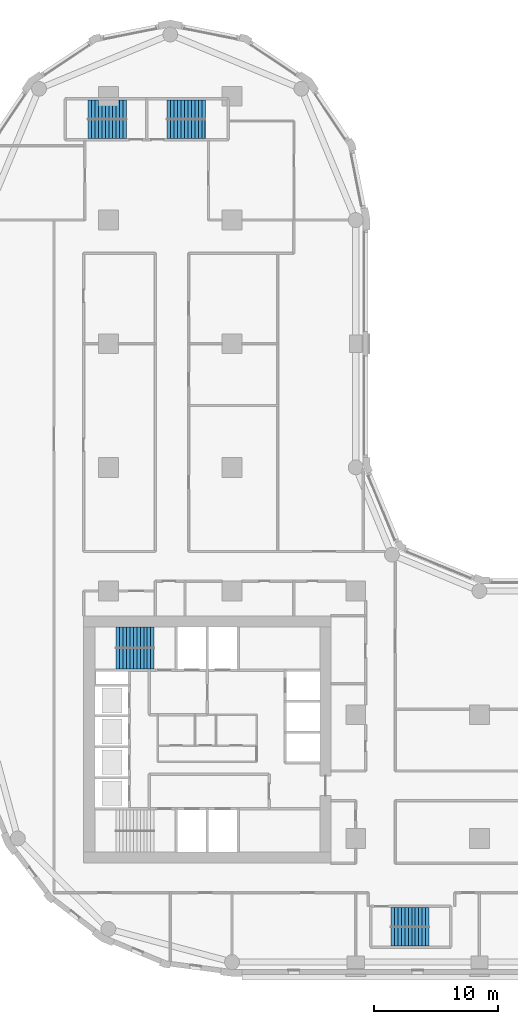
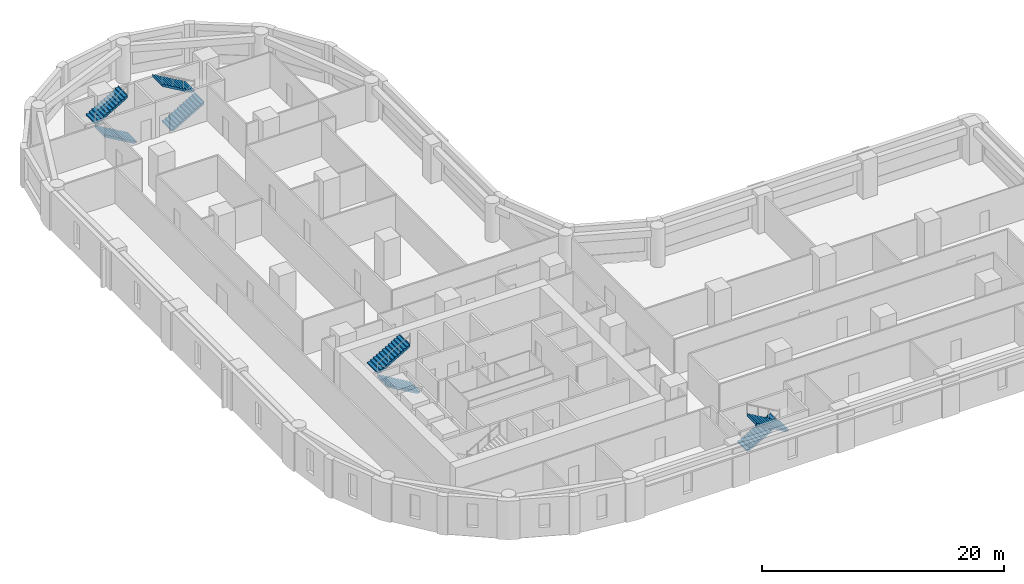
# One storey, part 8 of 10: 8 stair flights, 4 elements without a shape of their own.
"""IFC4 building model written with IfcOpenShell, lengths in metres."""

from ifc_helpers import new_model, si_unit, direction, frame, origin, place, context, subcontext, project, spatial, polyline, outline, extrude, material, type_object, element, aggregate, save


model = new_model("IFC4")

# Units and contexts
model_context = context("Model", 3, precision=1e-05, world=origin(), true_north=direction((0.0, 1.0)))
body_context = subcontext(model_context, "Body", "Model", "MODEL_VIEW")
ifc_project = project(units=[si_unit("LENGTHUNIT", "METRE"), si_unit("AREAUNIT", "SQUARE_METRE"), si_unit("VOLUMEUNIT", "CUBIC_METRE"), si_unit("PLANEANGLEUNIT", "RADIAN"), si_unit("MASSUNIT", "GRAM", prefix="KILO")], contexts=[model_context])

# Site, building, storey
site_placement = place(None, origin())
site = spatial("IfcSite", under=ifc_project, at=site_placement, CompositionType="ELEMENT")
building_placement = place(site_placement, origin())
building = spatial("IfcBuilding", under=site, at=building_placement, Name="Qaws Garden Tower", CompositionType="ELEMENT")
storey_placement = place(building_placement, frame((0.0, 0.0, 105.60009765625)))
storey = spatial("IfcBuildingStorey", under=building, at=storey_placement, Name="L26", CompositionType="ELEMENT", Elevation=105.60009765625)

# Stair, stair flights
ifc_material_1 = material(Name="Concrete C40", Category="concrete")
stair_type_1 = type_object("IfcStairType", Name="Exit stair 1350", PredefinedType="HALF_TURN_STAIR", material=ifc_material_1)
placement = place(storey_placement, origin())
stair_1 = element("IfcStair", 1, at=placement, inside=storey, type_object=stair_type_1, Name="Stair 5", PredefinedType="HALF_TURN_STAIR")
ifc_material_2 = material(Name="Concrete C40", Category="concrete")
stair_flight_type_1 = type_object("IfcStairFlightType", Name="Stair flight 1350", PredefinedType="STRAIGHT", material=ifc_material_2)
stair_flight_1_placement = place(storey_placement, frame((32.85009765625, 3.625, 0.0), z_axis=(0.0, 0.0, 1.0), x_axis=(1.0, 0.0, 0.0)))
stair_flight_1 = element("IfcStairFlight", 2, at=stair_flight_1_placement, type_object=stair_flight_type_1, Name="ST5 flight 1", NumberOfRisers=12, NumberOfTreads=11, PredefinedType="STRAIGHT", RiserHeight=0.1625, TreadLength=0.28, context=body_context, shape_type="SweptSolid", body=[
    extrude(outline(polyline([(-0.0029296875, 0.0), (-0.0029296875, 0.16259765625), (0.0, 0.16259765625), (0.280029296875, 0.16259765625), (0.280029296875, 0.324951171875), (0.56005859375, 0.324951171875), (0.56005859375, 0.487548828125), (0.840087890625, 0.487548828125), (0.840087890625, 0.64990234375), (1.1201171875, 0.64990234375), (1.1201171875, 0.8125), (1.39990234375, 0.8125), (1.39990234375, 0.97509765625), (1.679931640625, 0.97509765625), (1.679931640625, 1.137451171875), (1.9599609375, 1.137451171875), (1.9599609375, 1.300048828125), (2.239990234375, 1.300048828125), (2.239990234375, 1.46240234375), (2.52001953125, 1.46240234375), (2.52001953125, 1.625), (2.800048828125, 1.625), (2.800048828125, 1.78759765625), (3.080078125, 1.78759765625), (3.080078125, 1.949951171875), (3.0830078125, 1.949951171875), (3.0830078125, 1.6142578125), (3.080078125, 1.6142578125), (0.298583984375, 0.0), (-0.0029296875, 0.0)])), frame((0.0, 0.77490234375, 0.0), z_axis=(0.0, -1.0, 0.0), x_axis=(1.0, 0.0, 0.0)), (0.0, 0.0, 1.0), 1.550048828125),
])
stair_flight_2_placement = place(storey_placement, frame((35.929931640625, 2.074951171875, 1.949951171875), z_axis=(0.0, 0.0, 1.0), x_axis=(-1.0, 0.0, 0.0)))
stair_flight_2 = element("IfcStairFlight", 3, at=stair_flight_2_placement, type_object=stair_flight_type_1, Name="ST5 flight 2", NumberOfRisers=12, NumberOfTreads=11, PredefinedType="STRAIGHT", RiserHeight=0.1625, TreadLength=0.28, context=body_context, shape_type="SweptSolid", body=[
    extrude(outline(polyline([(-0.0029296875, 0.0), (-0.0029296875, 0.16259765625), (0.0, 0.16259765625), (0.280029296875, 0.16259765625), (0.280029296875, 0.324951171875), (0.56005859375, 0.324951171875), (0.56005859375, 0.487548828125), (0.840087890625, 0.487548828125), (0.840087890625, 0.64990234375), (1.1201171875, 0.64990234375), (1.1201171875, 0.8125), (1.39990234375, 0.8125), (1.39990234375, 0.97509765625), (1.679931640625, 0.97509765625), (1.679931640625, 1.137451171875), (1.9599609375, 1.137451171875), (1.9599609375, 1.300048828125), (2.239990234375, 1.300048828125), (2.239990234375, 1.46240234375), (2.52001953125, 1.46240234375), (2.52001953125, 1.625), (2.800048828125, 1.625), (2.800048828125, 1.78759765625), (3.080078125, 1.78759765625), (3.080078125, 1.949951171875), (3.0830078125, 1.949951171875), (3.0830078125, 1.6142578125), (3.080078125, 1.6142578125), (0.298583984375, 0.0), (-0.0029296875, 0.0)])), frame((0.0, 0.77490234375, 0.0), z_axis=(0.0, -1.0, 0.0), x_axis=(1.0, 0.0, 0.0)), (0.0, 0.0, 1.0), 1.550048828125),
])
aggregate(stair_1, [stair_flight_1, stair_flight_2])

stair_2 = element("IfcStair", 4, at=placement, inside=storey, type_object=stair_type_1, Name="Stair 6", PredefinedType="HALF_TURN_STAIR")
stair_flight_3_placement = place(storey_placement, frame((11.449951171875, 67.375, 0.0), z_axis=(0.0, 0.0, 1.0), x_axis=(-1.0, 0.0, 0.0)))
stair_flight_3 = element("IfcStairFlight", 5, at=stair_flight_3_placement, type_object=stair_flight_type_1, Name="ST6 flight 1", NumberOfRisers=12, NumberOfTreads=11, PredefinedType="STRAIGHT", RiserHeight=0.1625, TreadLength=0.28, context=body_context, shape_type="SweptSolid", body=[
    extrude(outline(polyline([(-0.0029296875, 0.0), (-0.0029296875, 0.16259765625), (0.0, 0.16259765625), (0.280029296875, 0.16259765625), (0.280029296875, 0.324951171875), (0.56005859375, 0.324951171875), (0.56005859375, 0.487548828125), (0.840087890625, 0.487548828125), (0.840087890625, 0.64990234375), (1.1201171875, 0.64990234375), (1.1201171875, 0.8125), (1.39990234375, 0.8125), (1.39990234375, 0.97509765625), (1.679931640625, 0.97509765625), (1.679931640625, 1.137451171875), (1.9599609375, 1.137451171875), (1.9599609375, 1.300048828125), (2.239990234375, 1.300048828125), (2.239990234375, 1.46240234375), (2.52001953125, 1.46240234375), (2.52001953125, 1.625), (2.800048828125, 1.625), (2.800048828125, 1.78759765625), (3.080078125, 1.78759765625), (3.080078125, 1.949951171875), (3.0830078125, 1.949951171875), (3.0830078125, 1.6142578125), (3.080078125, 1.6142578125), (0.298583984375, 0.0), (-0.0029296875, 0.0)])), frame((0.0, 0.77490234375, 0.0), z_axis=(0.0, -1.0, 0.0), x_axis=(1.0, 0.0, 0.0)), (0.0, 0.0, 1.0), 1.550048828125),
])
stair_flight_4_placement = place(storey_placement, frame((8.3701171875, 68.925048828125, 1.949951171875), z_axis=(0.0, 0.0, 1.0), x_axis=(1.0, 0.0, 0.0)))
stair_flight_4 = element("IfcStairFlight", 6, at=stair_flight_4_placement, type_object=stair_flight_type_1, Name="ST6 flight 2", NumberOfRisers=12, NumberOfTreads=11, PredefinedType="STRAIGHT", RiserHeight=0.1625, TreadLength=0.28, context=body_context, shape_type="SweptSolid", body=[
    extrude(outline(polyline([(-0.0029296875, 0.0), (-0.0029296875, 0.16259765625), (0.0, 0.16259765625), (0.280029296875, 0.16259765625), (0.280029296875, 0.324951171875), (0.56005859375, 0.324951171875), (0.56005859375, 0.487548828125), (0.840087890625, 0.487548828125), (0.840087890625, 0.64990234375), (1.1201171875, 0.64990234375), (1.1201171875, 0.8125), (1.39990234375, 0.8125), (1.39990234375, 0.97509765625), (1.679931640625, 0.97509765625), (1.679931640625, 1.137451171875), (1.9599609375, 1.137451171875), (1.9599609375, 1.300048828125), (2.239990234375, 1.300048828125), (2.239990234375, 1.46240234375), (2.52001953125, 1.46240234375), (2.52001953125, 1.625), (2.800048828125, 1.625), (2.800048828125, 1.78759765625), (3.080078125, 1.78759765625), (3.080078125, 1.949951171875), (3.0830078125, 1.949951171875), (3.0830078125, 1.6142578125), (3.080078125, 1.6142578125), (0.298583984375, 0.0), (-0.0029296875, 0.0)])), frame((0.0, 0.77490234375, 0.0), z_axis=(0.0, -1.0, 0.0), x_axis=(1.0, 0.0, 0.0)), (0.0, 0.0, 1.0), 1.550048828125),
])
aggregate(stair_2, [stair_flight_3, stair_flight_4])

stair_3 = element("IfcStair", 7, at=placement, inside=storey, type_object=stair_type_1, Name="Stair 7", PredefinedType="HALF_TURN_STAIR")
stair_flight_5_placement = place(storey_placement, frame((14.75, 67.375, 0.0), z_axis=(0.0, 0.0, 1.0), x_axis=(1.0, 0.0, 0.0)))
stair_flight_5 = element("IfcStairFlight", 8, at=stair_flight_5_placement, type_object=stair_flight_type_1, Name="ST7 flight 1", NumberOfRisers=12, NumberOfTreads=11, PredefinedType="STRAIGHT", RiserHeight=0.1625, TreadLength=0.28, context=body_context, shape_type="SweptSolid", body=[
    extrude(outline(polyline([(-0.0029296875, 0.0), (-0.0029296875, 0.16259765625), (0.0, 0.16259765625), (0.280029296875, 0.16259765625), (0.280029296875, 0.324951171875), (0.56005859375, 0.324951171875), (0.56005859375, 0.487548828125), (0.840087890625, 0.487548828125), (0.840087890625, 0.64990234375), (1.1201171875, 0.64990234375), (1.1201171875, 0.8125), (1.39990234375, 0.8125), (1.39990234375, 0.97509765625), (1.679931640625, 0.97509765625), (1.679931640625, 1.137451171875), (1.9599609375, 1.137451171875), (1.9599609375, 1.300048828125), (2.239990234375, 1.300048828125), (2.239990234375, 1.46240234375), (2.52001953125, 1.46240234375), (2.52001953125, 1.625), (2.800048828125, 1.625), (2.800048828125, 1.78759765625), (3.080078125, 1.78759765625), (3.080078125, 1.949951171875), (3.0830078125, 1.949951171875), (3.0830078125, 1.6142578125), (3.080078125, 1.6142578125), (0.298583984375, 0.0), (-0.0029296875, 0.0)])), frame((0.0, 0.77490234375, 0.0), z_axis=(0.0, -1.0, 0.0), x_axis=(1.0, 0.0, 0.0)), (0.0, 0.0, 1.0), 1.550048828125),
])
stair_flight_6_placement = place(storey_placement, frame((17.830078125, 68.925048828125, 1.949951171875), z_axis=(0.0, 0.0, 1.0), x_axis=(-1.0, 0.0, 0.0)))
stair_flight_6 = element("IfcStairFlight", 9, at=stair_flight_6_placement, type_object=stair_flight_type_1, Name="ST7 flight 2", NumberOfRisers=12, NumberOfTreads=11, PredefinedType="STRAIGHT", RiserHeight=0.1625, TreadLength=0.28, context=body_context, shape_type="SweptSolid", body=[
    extrude(outline(polyline([(-0.0029296875, 0.0), (-0.0029296875, 0.16259765625), (0.0, 0.16259765625), (0.280029296875, 0.16259765625), (0.280029296875, 0.324951171875), (0.56005859375, 0.324951171875), (0.56005859375, 0.487548828125), (0.840087890625, 0.487548828125), (0.840087890625, 0.64990234375), (1.1201171875, 0.64990234375), (1.1201171875, 0.8125), (1.39990234375, 0.8125), (1.39990234375, 0.97509765625), (1.679931640625, 0.97509765625), (1.679931640625, 1.137451171875), (1.9599609375, 1.137451171875), (1.9599609375, 1.300048828125), (2.239990234375, 1.300048828125), (2.239990234375, 1.46240234375), (2.52001953125, 1.46240234375), (2.52001953125, 1.625), (2.800048828125, 1.625), (2.800048828125, 1.78759765625), (3.080078125, 1.78759765625), (3.080078125, 1.949951171875), (3.0830078125, 1.949951171875), (3.0830078125, 1.6142578125), (3.080078125, 1.6142578125), (0.298583984375, 0.0), (-0.0029296875, 0.0)])), frame((0.0, 0.77490234375, 0.0), z_axis=(0.0, -1.0, 0.0), x_axis=(1.0, 0.0, 0.0)), (0.0, 0.0, 1.0), 1.550048828125),
])
aggregate(stair_3, [stair_flight_5, stair_flight_6])

ifc_material_3 = material(Name="Concrete C40", Category="concrete")
stair_type_2 = type_object("IfcStairType", Name="Exit stair 1500", PredefinedType="HALF_TURN_STAIR", material=ifc_material_3)
stair_4 = element("IfcStair", 10, at=placement, inside=storey, type_object=stair_type_2, Name="Stair 4", PredefinedType="HALF_TURN_STAIR")
ifc_material_4 = material(Name="Concrete C40", Category="concrete")
stair_flight_type_2 = type_object("IfcStairFlightType", Name="Stair flight 1500", PredefinedType="STRAIGHT", material=ifc_material_4)
stair_flight_7_placement = place(storey_placement, frame((13.699951171875, 24.550048828125, 0.0), z_axis=(0.0, 0.0, 1.0), x_axis=(-1.0, 0.0, 0.0)))
stair_flight_7 = element("IfcStairFlight", 11, at=stair_flight_7_placement, type_object=stair_flight_type_2, Name="ST4 flight 1", NumberOfRisers=12, NumberOfTreads=11, PredefinedType="STRAIGHT", RiserHeight=0.1625, TreadLength=0.28, context=body_context, shape_type="SweptSolid", body=[
    extrude(outline(polyline([(-0.0029296875, 0.0), (-0.0029296875, 0.16259765625), (0.0, 0.16259765625), (0.280029296875, 0.16259765625), (0.280029296875, 0.324951171875), (0.56005859375, 0.324951171875), (0.56005859375, 0.487548828125), (0.840087890625, 0.487548828125), (0.840087890625, 0.64990234375), (1.1201171875, 0.64990234375), (1.1201171875, 0.8125), (1.39990234375, 0.8125), (1.39990234375, 0.97509765625), (1.679931640625, 0.97509765625), (1.679931640625, 1.137451171875), (1.9599609375, 1.137451171875), (1.9599609375, 1.300048828125), (2.239990234375, 1.300048828125), (2.239990234375, 1.46240234375), (2.52001953125, 1.46240234375), (2.52001953125, 1.625), (2.800048828125, 1.625), (2.800048828125, 1.78759765625), (3.080078125, 1.78759765625), (3.080078125, 1.949951171875), (3.0830078125, 1.949951171875), (3.0830078125, 1.6142578125), (3.080078125, 1.6142578125), (0.298583984375, 0.0), (-0.0029296875, 0.0)])), frame((0.0, 0.844970703125, 0.0), z_axis=(0.0, -1.0, 0.0), x_axis=(1.0, 0.0, 0.0)), (0.0, 0.0, 1.0), 1.68994140625),
])
stair_flight_8_placement = place(storey_placement, frame((10.6201171875, 26.25, 1.949951171875), z_axis=(0.0, 0.0, 1.0), x_axis=(1.0, 0.0, 0.0)))
stair_flight_8 = element("IfcStairFlight", 12, at=stair_flight_8_placement, type_object=stair_flight_type_2, Name="ST4 flight 2", NumberOfRisers=12, NumberOfTreads=11, PredefinedType="STRAIGHT", RiserHeight=0.1625, TreadLength=0.28, context=body_context, shape_type="SweptSolid", body=[
    extrude(outline(polyline([(-0.0029296875, 0.0), (-0.0029296875, 0.16259765625), (0.0, 0.16259765625), (0.280029296875, 0.16259765625), (0.280029296875, 0.324951171875), (0.56005859375, 0.324951171875), (0.56005859375, 0.487548828125), (0.840087890625, 0.487548828125), (0.840087890625, 0.64990234375), (1.1201171875, 0.64990234375), (1.1201171875, 0.8125), (1.39990234375, 0.8125), (1.39990234375, 0.97509765625), (1.679931640625, 0.97509765625), (1.679931640625, 1.137451171875), (1.9599609375, 1.137451171875), (1.9599609375, 1.300048828125), (2.239990234375, 1.300048828125), (2.239990234375, 1.46240234375), (2.52001953125, 1.46240234375), (2.52001953125, 1.625), (2.800048828125, 1.625), (2.800048828125, 1.78759765625), (3.080078125, 1.78759765625), (3.080078125, 1.949951171875), (3.0830078125, 1.949951171875), (3.0830078125, 1.6142578125), (3.080078125, 1.6142578125), (0.298583984375, 0.0), (-0.0029296875, 0.0)])), frame((0.0, 0.844970703125, 0.0), z_axis=(0.0, -1.0, 0.0), x_axis=(1.0, 0.0, 0.0)), (0.0, 0.0, 1.0), 1.68994140625),
])
aggregate(stair_4, [stair_flight_7, stair_flight_8])

save(model, "model.ifc")
